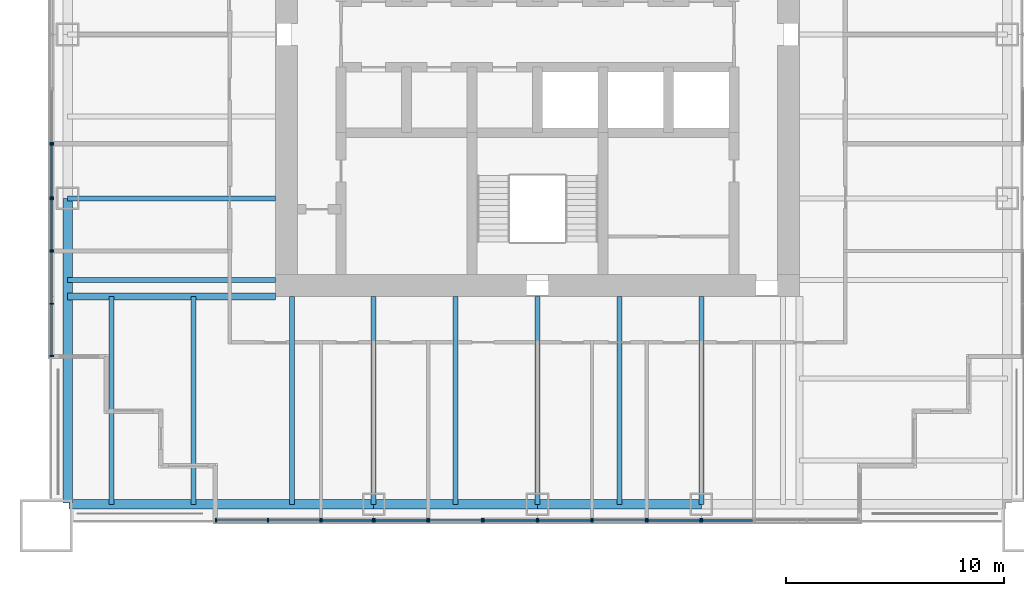
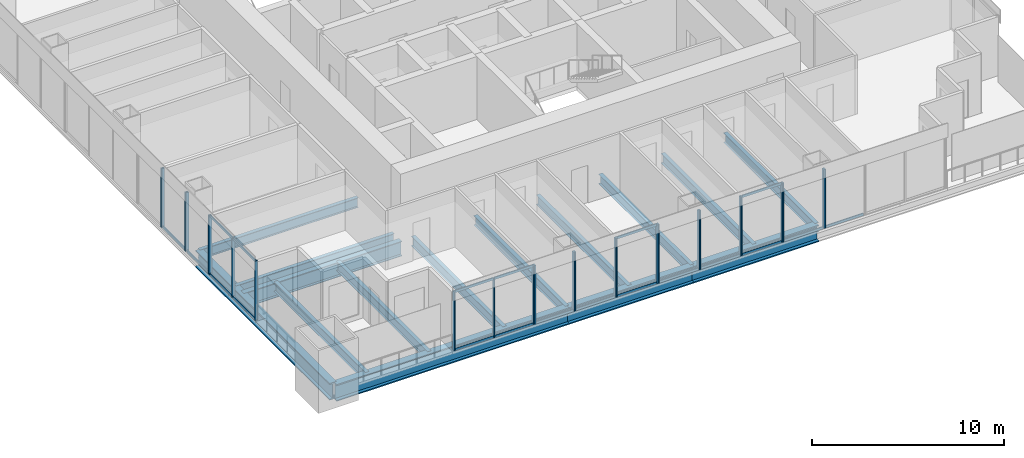
# One storey, part 2 of 14: 46 members, 15 beams, 13 elements without a shape of their own.
"""IFC4 building model written with IfcOpenShell, lengths in metres."""

from ifc_helpers import new_model, si_unit, direction, frame, origin, origin_2d, place, context, subcontext, project, spatial, rectangle, i_section, extrude, material, material_profile, profile_set, type_object, element, aggregate, save


model = new_model("IFC4")

# Units and contexts
model_context = context("Model", 3, precision=1e-05, world=origin(), true_north=direction((0.0, 1.0)))
body_context = subcontext(model_context, "Body", "Model", "MODEL_VIEW")
ifc_project = project(units=[si_unit("LENGTHUNIT", "METRE"), si_unit("AREAUNIT", "SQUARE_METRE"), si_unit("VOLUMEUNIT", "CUBIC_METRE"), si_unit("PLANEANGLEUNIT", "RADIAN"), si_unit("MASSUNIT", "GRAM", prefix="KILO")], contexts=[model_context])

# Site, building, storey
site_placement = place(None, origin())
site = spatial("IfcSite", under=ifc_project, at=site_placement, CompositionType="ELEMENT")
building_placement = place(site_placement, origin())
building = spatial("IfcBuilding", under=site, at=building_placement, Name="Tarangal Relay Tower", CompositionType="ELEMENT")
storey_placement = place(building_placement, frame((0.0, 0.0, 249.89990234375)))
storey = spatial("IfcBuildingStorey", under=building, at=storey_placement, Name="L54", CompositionType="ELEMENT", Elevation=249.89990234375)

# Beams
ifc_material_1 = material(Name="Steel ASTM A992", Category="steel")
ifc_material_profile_1 = material_profile(ifc_material_1, i_section(OverallWidth=0.227783203125, OverallDepth=0.60205078125, WebThickness=0.010498046875, FlangeThickness=0.014892578125, at=origin_2d()), Name="W24X68")
ifc_profile_set_1 = profile_set([ifc_material_profile_1], Name="Steel ASTM A992")
beam_type_1 = type_object("IfcBeamType", Name="Corner beam W24X68", PredefinedType="JOIST", material=ifc_profile_set_1)
for number, where, z_axis, x_axis, name in (
    (1, (-15.75, -12.0, -0.450927734375), (0.0, -1.0, 0.0), (1.0, 0.0, 0.0), "Corner beam CB11 S L54"),
    (2, (-19.5, -12.0, -0.450927734375), (0.0, -1.0, 0.0), (1.0, 0.0, 0.0), "Corner beam CB11 S L54"),
):
    element("IfcBeam", number, at=place(storey_placement, frame(where, z_axis=z_axis, x_axis=x_axis)), inside=storey, type_object=beam_type_1, Name=name, PredefinedType="JOIST", context=body_context, shape_type="SweptSolid", body=[
        extrude(i_section(OverallWidth=0.227783203125, OverallDepth=0.60205078125, WebThickness=0.010498046875, FlangeThickness=0.014892578125, at=origin_2d()), origin(), (0.0, 0.0, 1.0), 9.514892578125),
    ])
ifc_material_profile_2 = material_profile(ifc_material_1, i_section(OverallWidth=0.307373046875, OverallDepth=0.9423828125, WebThickness=0.022216796875, FlangeThickness=0.039794921875, at=origin_2d()), Name="W36X232")
ifc_profile_set_2 = profile_set([ifc_material_profile_2], Name="Steel ASTM A992")
beam_type_2 = type_object("IfcBeamType", Name="Corner girder W36X232", PredefinedType="BEAM", material=ifc_profile_set_2)
beam_placement = place(storey_placement, frame((-12.0, -12.0, -0.62109375), z_axis=(-1.0, 0.0, 0.0), x_axis=(0.0, -1.0, 0.0)))
element("IfcBeam", 3, at=beam_placement, inside=storey, type_object=beam_type_2, Name="Corner girder CG4 S L54", PredefinedType="BEAM", context=body_context, shape_type="SweptSolid", body=[
    extrude(i_section(OverallWidth=0.307373046875, OverallDepth=0.9423828125, WebThickness=0.022216796875, FlangeThickness=0.039794921875, at=origin_2d()), origin(), (0.0, 0.0, 1.0), 9.514892578125),
])
ifc_material_profile_3 = material_profile(ifc_material_1, i_section(OverallWidth=0.41650390625, OverallDepth=1.0693359375, WebThickness=0.0390625, FlangeThickness=0.070068359375, at=origin_2d()), Name="W40X503")
ifc_profile_set_3 = profile_set([ifc_material_profile_3], Name="Steel ASTM A992")
beam_type_3 = type_object("IfcBeamType", Name="Edge girder W40X503", PredefinedType="SPANDREL", material=ifc_profile_set_3)
for number, where, z_axis, x_axis, name in (
    (4, (7.5, -21.514892578125, -0.6845703125), (-1.0, 0.0, 0.0), (0.0, -1.0, 0.0), "Edge girder EG8 S L54"),
    (5, (0.0, -21.514892578125, -0.6845703125), (-1.0, 0.0, 0.0), (0.0, -1.0, 0.0), "Edge girder EG8 S L54"),
):
    element("IfcBeam", number, at=place(storey_placement, frame(where, z_axis=z_axis, x_axis=x_axis)), inside=storey, type_object=beam_type_3, Name=name, PredefinedType="SPANDREL", context=body_context, shape_type="SweptSolid", body=[
        extrude(i_section(OverallWidth=0.41650390625, OverallDepth=1.0693359375, WebThickness=0.0390625, FlangeThickness=0.070068359375, at=origin_2d()), origin(), (0.0, 0.0, 1.0), 7.5),
    ])
for number, where, z_axis, x_axis, name in (
    (6, (-7.5, -21.514892578125, -0.6845703125), (-1.0, 0.0, 0.0), (0.0, -1.0, 0.0), "Edge girder EG8 S L54"),
    (7, (-21.514892578125, -21.449951171875, -0.6845703125), (0.0, 1.0, 0.0), (-1.0, 0.0, 0.0), "Edge girder EG8 W L54"),
):
    element("IfcBeam", number, at=place(storey_placement, frame(where, z_axis=z_axis, x_axis=x_axis)), inside=storey, type_object=beam_type_3, Name=name, PredefinedType="SPANDREL", context=body_context, shape_type="SweptSolid", body=[
        extrude(i_section(OverallWidth=0.41650390625, OverallDepth=1.0693359375, WebThickness=0.0390625, FlangeThickness=0.070068359375, at=origin_2d()), origin(), (0.0, 0.0, 1.0), 13.949951171875),
    ])
ifc_material_profile_4 = material_profile(ifc_material_1, i_section(OverallWidth=0.22900390625, OverallDepth=0.612060546875, WebThickness=0.011962890625, FlangeThickness=0.01953125, at=origin_2d()), Name="W24X84")
ifc_profile_set_4 = profile_set([ifc_material_profile_4], Name="Steel ASTM A992")
beam_type_4 = type_object("IfcBeamType", Name="Floor beam W24X84", PredefinedType="BEAM", material=ifc_profile_set_4)
for number, where, z_axis, x_axis, name in (
    (8, (7.5, -12.0, -0.455810546875), (0.0, -1.0, 0.0), (1.0, 0.0, 0.0), "Floor beam RB12 S L54"),
    (9, (3.75, -12.0, -0.455810546875), (0.0, -1.0, 0.0), (1.0, 0.0, 0.0), "Floor beam RB12 S L54"),
    (10, (0.0, -12.0, -0.455810546875), (0.0, -1.0, 0.0), (1.0, 0.0, 0.0), "Floor beam RB12 S L54"),
    (11, (-3.75, -12.0, -0.455810546875), (0.0, -1.0, 0.0), (1.0, 0.0, 0.0), "Floor beam RB12 S L54"),
    (12, (-7.5, -12.0, -0.455810546875), (0.0, -1.0, 0.0), (1.0, 0.0, 0.0), "Floor beam RB12 S L54"),
    (13, (-11.25, -12.0, -0.455810546875), (0.0, -1.0, 0.0), (1.0, 0.0, 0.0), "Floor beam RB12 S L54"),
    (14, (-12.0, -11.25, -0.455810546875), (-1.0, 0.0, 0.0), (0.0, -1.0, 0.0), "Floor beam RB12 W L54"),
    (15, (-12.0, -7.5, -0.455810546875), (-1.0, 0.0, 0.0), (0.0, -1.0, 0.0), "Floor beam RB12 W L54"),
):
    element("IfcBeam", number, at=place(storey_placement, frame(where, z_axis=z_axis, x_axis=x_axis)), inside=storey, type_object=beam_type_4, Name=name, PredefinedType="BEAM", context=body_context, shape_type="SweptSolid", body=[
        extrude(i_section(OverallWidth=0.22900390625, OverallDepth=0.612060546875, WebThickness=0.011962890625, FlangeThickness=0.01953125, at=origin_2d()), origin(), (0.0, 0.0, 1.0), 9.514892578125),
    ])

# Curtain wall, members
ifc_material_2 = material(Name="Unitised curtain wall, dark glass and black aluminium", Category="aluminium")
curtain_wall_type_1 = type_object("IfcCurtainWallType", Name="Curtain wall CW-A", PredefinedType="USERDEFINED", material=ifc_material_2)
curtain_wall_1_placement = place(storey_placement, origin())
curtain_wall_1 = element("IfcCurtainWall", 16, at=curtain_wall_1_placement, inside=storey, type_object=curtain_wall_type_1, Name="Curtain wall CW-A S facade L54", ObjectType="UNITISED CURTAIN WALL", PredefinedType="USERDEFINED")
ifc_material_3 = material(Name="Black anodised aluminium mullion", Category="aluminium")
ifc_material_profile_5 = material_profile(ifc_material_3, rectangle(XDim=0.175048828125, YDim=0.06494140625, at=origin_2d()), Name="CW-AM 65X175")
ifc_profile_set_5 = profile_set([ifc_material_profile_5], Name="Black anodised aluminium mullion")
member_type_1 = type_object("IfcMemberType", Name="Mullion CW-A 65 x 175", PredefinedType="MULLION", material=ifc_profile_set_5)
member_1_placement = place(storey_placement, frame((4.967529296875, -22.25, 0.0), z_axis=(0.0, 0.0, 1.0), x_axis=(0.0, -1.0, 0.0)))
member_1 = element("IfcMember", 17, at=member_1_placement, type_object=member_type_1, Name="CW-A mullion 1", PredefinedType="MULLION", context=body_context, shape_type="SweptSolid", body=[
    extrude(rectangle(XDim=0.175048828125, YDim=0.06494140625, at=origin_2d()), origin(), (0.0, 0.0, 1.0), 3.75),
])
member_2_placement = place(storey_placement, frame((2.532470703125, -22.25, 0.0), z_axis=(0.0, 0.0, 1.0), x_axis=(0.0, -1.0, 0.0)))
member_2 = element("IfcMember", 18, at=member_2_placement, type_object=member_type_1, Name="CW-A mullion 2", PredefinedType="MULLION", context=body_context, shape_type="SweptSolid", body=[
    extrude(rectangle(XDim=0.175048828125, YDim=0.06494140625, at=origin_2d()), origin(), (0.0, 0.0, 1.0), 3.75),
])

curtain_wall_2_placement = place(storey_placement, origin())
curtain_wall_2 = element("IfcCurtainWall", 19, at=curtain_wall_2_placement, inside=storey, type_object=curtain_wall_type_1, Name="Curtain wall CW-A S facade L54", ObjectType="UNITISED CURTAIN WALL", PredefinedType="USERDEFINED")
member_3_placement = place(storey_placement, frame((-2.532470703125, -22.25, 0.0), z_axis=(0.0, 0.0, 1.0), x_axis=(0.0, -1.0, 0.0)))
member_3 = element("IfcMember", 20, at=member_3_placement, type_object=member_type_1, Name="CW-A mullion 1", PredefinedType="MULLION", context=body_context, shape_type="SweptSolid", body=[
    extrude(rectangle(XDim=0.175048828125, YDim=0.06494140625, at=origin_2d()), origin(), (0.0, 0.0, 1.0), 3.75),
])
member_4_placement = place(storey_placement, frame((-4.967529296875, -22.25, 0.0), z_axis=(0.0, 0.0, 1.0), x_axis=(0.0, -1.0, 0.0)))
member_4 = element("IfcMember", 21, at=member_4_placement, type_object=member_type_1, Name="CW-A mullion 2", PredefinedType="MULLION", context=body_context, shape_type="SweptSolid", body=[
    extrude(rectangle(XDim=0.175048828125, YDim=0.06494140625, at=origin_2d()), origin(), (0.0, 0.0, 1.0), 3.75),
])

curtain_wall_3_placement = place(storey_placement, origin())
curtain_wall_3 = element("IfcCurtainWall", 22, at=curtain_wall_3_placement, inside=storey, type_object=curtain_wall_type_1, Name="Curtain wall CW-A S facade L54", ObjectType="UNITISED CURTAIN WALL", PredefinedType="USERDEFINED")
member_5_placement = place(storey_placement, frame((-9.94921875, -22.25, 0.0), z_axis=(0.0, 0.0, 1.0), x_axis=(0.0, -1.0, 0.0)))
member_5 = element("IfcMember", 23, at=member_5_placement, type_object=member_type_1, Name="CW-A mullion 1", PredefinedType="MULLION", context=body_context, shape_type="SweptSolid", body=[
    extrude(rectangle(XDim=0.175048828125, YDim=0.06494140625, at=origin_2d()), origin(), (0.0, 0.0, 1.0), 3.75),
])
member_6_placement = place(storey_placement, frame((-12.333251953125, -22.25, 0.0), z_axis=(0.0, 0.0, 1.0), x_axis=(0.0, -1.0, 0.0)))
member_6 = element("IfcMember", 24, at=member_6_placement, type_object=member_type_1, Name="CW-A mullion 2", PredefinedType="MULLION", context=body_context, shape_type="SweptSolid", body=[
    extrude(rectangle(XDim=0.175048828125, YDim=0.06494140625, at=origin_2d()), origin(), (0.0, 0.0, 1.0), 3.75),
])
member_7_placement = place(storey_placement, frame((-14.717529296875, -22.25, 0.0), z_axis=(0.0, 0.0, 1.0), x_axis=(0.0, -1.0, 0.0)))
member_7 = element("IfcMember", 25, at=member_7_placement, type_object=member_type_1, Name="CW-A mullion 3", PredefinedType="MULLION", context=body_context, shape_type="SweptSolid", body=[
    extrude(rectangle(XDim=0.175048828125, YDim=0.06494140625, at=origin_2d()), origin(), (0.0, 0.0, 1.0), 3.75),
])

curtain_wall_4_placement = place(storey_placement, origin())
curtain_wall_4 = element("IfcCurtainWall", 26, at=curtain_wall_4_placement, inside=storey, type_object=curtain_wall_type_1, Name="Curtain wall CW-A W facade L54", ObjectType="UNITISED CURTAIN WALL", PredefinedType="USERDEFINED")
member_8_placement = place(storey_placement, frame((-22.25, -14.717529296875, 0.0), z_axis=(0.0, 0.0, 1.0), x_axis=(-1.0, 0.0, 0.0)))
member_8 = element("IfcMember", 27, at=member_8_placement, type_object=member_type_1, Name="CW-A mullion 1", PredefinedType="MULLION", context=body_context, shape_type="SweptSolid", body=[
    extrude(rectangle(XDim=0.175048828125, YDim=0.06494140625, at=origin_2d()), origin(), (0.0, 0.0, 1.0), 3.75),
])
member_9_placement = place(storey_placement, frame((-22.25, -12.333251953125, 0.0), z_axis=(0.0, 0.0, 1.0), x_axis=(-1.0, 0.0, 0.0)))
member_9 = element("IfcMember", 28, at=member_9_placement, type_object=member_type_1, Name="CW-A mullion 2", PredefinedType="MULLION", context=body_context, shape_type="SweptSolid", body=[
    extrude(rectangle(XDim=0.175048828125, YDim=0.06494140625, at=origin_2d()), origin(), (0.0, 0.0, 1.0), 3.75),
])
member_10_placement = place(storey_placement, frame((-22.25, -9.94921875, 0.0), z_axis=(0.0, 0.0, 1.0), x_axis=(-1.0, 0.0, 0.0)))
member_10 = element("IfcMember", 29, at=member_10_placement, type_object=member_type_1, Name="CW-A mullion 3", PredefinedType="MULLION", context=body_context, shape_type="SweptSolid", body=[
    extrude(rectangle(XDim=0.175048828125, YDim=0.06494140625, at=origin_2d()), origin(), (0.0, 0.0, 1.0), 3.75),
])

# Curtain wall, member
curtain_wall_5_placement = place(storey_placement, origin())
curtain_wall_5 = element("IfcCurtainWall", 30, at=curtain_wall_5_placement, inside=storey, type_object=curtain_wall_type_1, Name="Curtain wall CW-A W facade L54", ObjectType="UNITISED CURTAIN WALL", PredefinedType="USERDEFINED")
member_11_placement = place(storey_placement, frame((-22.25, -4.967529296875, 0.0), z_axis=(0.0, 0.0, 1.0), x_axis=(-1.0, 0.0, 0.0)))
member_11 = element("IfcMember", 31, at=member_11_placement, type_object=member_type_1, Name="CW-A mullion 1", PredefinedType="MULLION", context=body_context, shape_type="SweptSolid", body=[
    extrude(rectangle(XDim=0.175048828125, YDim=0.06494140625, at=origin_2d()), origin(), (0.0, 0.0, 1.0), 3.75),
])
aggregate(curtain_wall_5, [member_11])

ifc_material_4 = material(Name="Unitised curtain wall frame, black aluminium, with metal clad infill walls", Category="aluminium")
curtain_wall_type_2 = type_object("IfcCurtainWallType", Name="Curtain wall CW-AO", PredefinedType="USERDEFINED", material=ifc_material_4)
curtain_wall_6_placement = place(storey_placement, origin())
curtain_wall_6 = element("IfcCurtainWall", 32, at=curtain_wall_6_placement, inside=storey, type_object=curtain_wall_type_2, Name="Curtain wall CW-AO S facade L54", ObjectType="UNITISED CURTAIN WALL", PredefinedType="USERDEFINED")
ifc_material_profile_6 = material_profile(ifc_material_3, rectangle(XDim=0.175048828125, YDim=0.06494140625, at=origin_2d()), Name="CW-AOM 65X175")
ifc_profile_set_6 = profile_set([ifc_material_profile_6], Name="Black anodised aluminium mullion")
member_type_2 = type_object("IfcMemberType", Name="Mullion CW-AO 65 x 175", PredefinedType="MULLION", material=ifc_profile_set_6)
member_12_placement = place(storey_placement, frame((7.532470703125, -22.25, 0.0), z_axis=(0.0, 0.0, 1.0), x_axis=(0.0, -1.0, 0.0)))
member_12 = element("IfcMember", 33, at=member_12_placement, type_object=member_type_2, Name="CW-AO mullion 2", PredefinedType="MULLION", context=body_context, shape_type="SweptSolid", body=[
    extrude(rectangle(XDim=0.175048828125, YDim=0.06494140625, at=origin_2d()), origin(), (0.0, 0.0, 1.0), 3.75),
])

# Curtain wall, members
curtain_wall_7_placement = place(storey_placement, origin())
curtain_wall_7 = element("IfcCurtainWall", 34, at=curtain_wall_7_placement, inside=storey, type_object=curtain_wall_type_2, Name="Curtain wall CW-AO S facade L54", ObjectType="UNITISED CURTAIN WALL", PredefinedType="USERDEFINED")
member_13_placement = place(storey_placement, frame((7.467529296875, -22.25, 0.0), z_axis=(0.0, 0.0, 1.0), x_axis=(0.0, -1.0, 0.0)))
member_13 = element("IfcMember", 35, at=member_13_placement, type_object=member_type_2, Name="CW-AO mullion 1", PredefinedType="MULLION", context=body_context, shape_type="SweptSolid", body=[
    extrude(rectangle(XDim=0.175048828125, YDim=0.06494140625, at=origin_2d()), origin(), (0.0, 0.0, 1.0), 3.75),
])
member_14_placement = place(storey_placement, frame((5.032470703125, -22.25, 0.0), z_axis=(0.0, 0.0, 1.0), x_axis=(0.0, -1.0, 0.0)))
member_14 = element("IfcMember", 36, at=member_14_placement, type_object=member_type_2, Name="CW-AO mullion 2", PredefinedType="MULLION", context=body_context, shape_type="SweptSolid", body=[
    extrude(rectangle(XDim=0.175048828125, YDim=0.06494140625, at=origin_2d()), origin(), (0.0, 0.0, 1.0), 3.75),
])

curtain_wall_8_placement = place(storey_placement, origin())
curtain_wall_8 = element("IfcCurtainWall", 37, at=curtain_wall_8_placement, inside=storey, type_object=curtain_wall_type_2, Name="Curtain wall CW-AO S facade L54", ObjectType="UNITISED CURTAIN WALL", PredefinedType="USERDEFINED")
member_15_placement = place(storey_placement, frame((2.467529296875, -22.25, 0.0), z_axis=(0.0, 0.0, 1.0), x_axis=(0.0, -1.0, 0.0)))
member_15 = element("IfcMember", 38, at=member_15_placement, type_object=member_type_2, Name="CW-AO mullion 1", PredefinedType="MULLION", context=body_context, shape_type="SweptSolid", body=[
    extrude(rectangle(XDim=0.175048828125, YDim=0.06494140625, at=origin_2d()), origin(), (0.0, 0.0, 1.0), 3.75),
])
member_16_placement = place(storey_placement, frame((0.032470703125, -22.25, 0.0), z_axis=(0.0, 0.0, 1.0), x_axis=(0.0, -1.0, 0.0)))
member_16 = element("IfcMember", 39, at=member_16_placement, type_object=member_type_2, Name="CW-AO mullion 2", PredefinedType="MULLION", context=body_context, shape_type="SweptSolid", body=[
    extrude(rectangle(XDim=0.175048828125, YDim=0.06494140625, at=origin_2d()), origin(), (0.0, 0.0, 1.0), 3.75),
])

curtain_wall_9_placement = place(storey_placement, origin())
curtain_wall_9 = element("IfcCurtainWall", 40, at=curtain_wall_9_placement, inside=storey, type_object=curtain_wall_type_2, Name="Curtain wall CW-AO S facade L54", ObjectType="UNITISED CURTAIN WALL", PredefinedType="USERDEFINED")
member_17_placement = place(storey_placement, frame((-0.032470703125, -22.25, 0.0), z_axis=(0.0, 0.0, 1.0), x_axis=(0.0, -1.0, 0.0)))
member_17 = element("IfcMember", 41, at=member_17_placement, type_object=member_type_2, Name="CW-AO mullion 1", PredefinedType="MULLION", context=body_context, shape_type="SweptSolid", body=[
    extrude(rectangle(XDim=0.175048828125, YDim=0.06494140625, at=origin_2d()), origin(), (0.0, 0.0, 1.0), 3.75),
])
member_18_placement = place(storey_placement, frame((-2.467529296875, -22.25, 0.0), z_axis=(0.0, 0.0, 1.0), x_axis=(0.0, -1.0, 0.0)))
member_18 = element("IfcMember", 42, at=member_18_placement, type_object=member_type_2, Name="CW-AO mullion 2", PredefinedType="MULLION", context=body_context, shape_type="SweptSolid", body=[
    extrude(rectangle(XDim=0.175048828125, YDim=0.06494140625, at=origin_2d()), origin(), (0.0, 0.0, 1.0), 3.75),
])

curtain_wall_10_placement = place(storey_placement, origin())
curtain_wall_10 = element("IfcCurtainWall", 43, at=curtain_wall_10_placement, inside=storey, type_object=curtain_wall_type_2, Name="Curtain wall CW-AO S facade L54", ObjectType="UNITISED CURTAIN WALL", PredefinedType="USERDEFINED")
member_19_placement = place(storey_placement, frame((-5.032470703125, -22.25, 0.0), z_axis=(0.0, 0.0, 1.0), x_axis=(0.0, -1.0, 0.0)))
member_19 = element("IfcMember", 44, at=member_19_placement, type_object=member_type_2, Name="CW-AO mullion 1", PredefinedType="MULLION", context=body_context, shape_type="SweptSolid", body=[
    extrude(rectangle(XDim=0.175048828125, YDim=0.06494140625, at=origin_2d()), origin(), (0.0, 0.0, 1.0), 3.75),
])
member_20_placement = place(storey_placement, frame((-7.467529296875, -22.25, 0.0), z_axis=(0.0, 0.0, 1.0), x_axis=(0.0, -1.0, 0.0)))
member_20 = element("IfcMember", 45, at=member_20_placement, type_object=member_type_2, Name="CW-AO mullion 2", PredefinedType="MULLION", context=body_context, shape_type="SweptSolid", body=[
    extrude(rectangle(XDim=0.175048828125, YDim=0.06494140625, at=origin_2d()), origin(), (0.0, 0.0, 1.0), 3.75),
])

curtain_wall_11_placement = place(storey_placement, origin())
curtain_wall_11 = element("IfcCurtainWall", 46, at=curtain_wall_11_placement, inside=storey, type_object=curtain_wall_type_2, Name="Curtain wall CW-AO S facade L54", ObjectType="UNITISED CURTAIN WALL", PredefinedType="USERDEFINED")
member_21_placement = place(storey_placement, frame((-7.532470703125, -22.25, 0.0), z_axis=(0.0, 0.0, 1.0), x_axis=(0.0, -1.0, 0.0)))
member_21 = element("IfcMember", 47, at=member_21_placement, type_object=member_type_2, Name="CW-AO mullion 1", PredefinedType="MULLION", context=body_context, shape_type="SweptSolid", body=[
    extrude(rectangle(XDim=0.175048828125, YDim=0.06494140625, at=origin_2d()), origin(), (0.0, 0.0, 1.0), 3.75),
])
member_22_placement = place(storey_placement, frame((-9.88427734375, -22.25, 0.0), z_axis=(0.0, 0.0, 1.0), x_axis=(0.0, -1.0, 0.0)))
member_22 = element("IfcMember", 48, at=member_22_placement, type_object=member_type_2, Name="CW-AO mullion 2", PredefinedType="MULLION", context=body_context, shape_type="SweptSolid", body=[
    extrude(rectangle(XDim=0.175048828125, YDim=0.06494140625, at=origin_2d()), origin(), (0.0, 0.0, 1.0), 3.75),
])

curtain_wall_12_placement = place(storey_placement, origin())
curtain_wall_12 = element("IfcCurtainWall", 49, at=curtain_wall_12_placement, inside=storey, type_object=curtain_wall_type_2, Name="Curtain wall CW-AO W facade L54", ObjectType="UNITISED CURTAIN WALL", PredefinedType="USERDEFINED")
member_23_placement = place(storey_placement, frame((-22.25, -9.88427734375, 0.0), z_axis=(0.0, 0.0, 1.0), x_axis=(-1.0, 0.0, 0.0)))
member_23 = element("IfcMember", 50, at=member_23_placement, type_object=member_type_2, Name="CW-AO mullion 1", PredefinedType="MULLION", context=body_context, shape_type="SweptSolid", body=[
    extrude(rectangle(XDim=0.175048828125, YDim=0.06494140625, at=origin_2d()), origin(), (0.0, 0.0, 1.0), 3.75),
])
member_24_placement = place(storey_placement, frame((-22.25, -7.532470703125, 0.0), z_axis=(0.0, 0.0, 1.0), x_axis=(-1.0, 0.0, 0.0)))
member_24 = element("IfcMember", 51, at=member_24_placement, type_object=member_type_2, Name="CW-AO mullion 2", PredefinedType="MULLION", context=body_context, shape_type="SweptSolid", body=[
    extrude(rectangle(XDim=0.175048828125, YDim=0.06494140625, at=origin_2d()), origin(), (0.0, 0.0, 1.0), 3.75),
])

curtain_wall_13_placement = place(storey_placement, origin())
curtain_wall_13 = element("IfcCurtainWall", 52, at=curtain_wall_13_placement, inside=storey, type_object=curtain_wall_type_2, Name="Curtain wall CW-AO W facade L54", ObjectType="UNITISED CURTAIN WALL", PredefinedType="USERDEFINED")
member_25_placement = place(storey_placement, frame((-22.25, -7.467529296875, 0.0), z_axis=(0.0, 0.0, 1.0), x_axis=(-1.0, 0.0, 0.0)))
member_25 = element("IfcMember", 53, at=member_25_placement, type_object=member_type_2, Name="CW-AO mullion 1", PredefinedType="MULLION", context=body_context, shape_type="SweptSolid", body=[
    extrude(rectangle(XDim=0.175048828125, YDim=0.06494140625, at=origin_2d()), origin(), (0.0, 0.0, 1.0), 3.75),
])
member_26_placement = place(storey_placement, frame((-22.25, -5.032470703125, 0.0), z_axis=(0.0, 0.0, 1.0), x_axis=(-1.0, 0.0, 0.0)))
member_26 = element("IfcMember", 54, at=member_26_placement, type_object=member_type_2, Name="CW-AO mullion 2", PredefinedType="MULLION", context=body_context, shape_type="SweptSolid", body=[
    extrude(rectangle(XDim=0.175048828125, YDim=0.06494140625, at=origin_2d()), origin(), (0.0, 0.0, 1.0), 3.75),
])

# Member
ifc_material_5 = material(Name="Black anodised aluminium transom", Category="aluminium")
ifc_material_profile_7 = material_profile(ifc_material_5, rectangle(XDim=0.06494140625, YDim=0.14990234375, at=origin_2d()), Name="CW-AT 65X150")
ifc_profile_set_7 = profile_set([ifc_material_profile_7], Name="Black anodised aluminium transom")
member_type_3 = type_object("IfcMemberType", Name="Transom CW-A 65 x 150", PredefinedType="USERDEFINED", material=ifc_profile_set_7)
member_27_placement = place(storey_placement, frame((4.93505859375, -22.25, 0.03271484375), z_axis=(-1.0, 0.0, 0.0), x_axis=(0.0, -1.0, 0.0)))
member_27 = element("IfcMember", 55, at=member_27_placement, type_object=member_type_3, Name="CW-A transom 1.1", ObjectType="TRANSOM", PredefinedType="USERDEFINED", context=body_context, shape_type="SweptSolid", body=[
    extrude(rectangle(XDim=0.06494140625, YDim=0.14990234375, at=origin_2d()), origin(), (0.0, 0.0, 1.0), 2.3701171875),
])

member_28_placement = place(storey_placement, frame((4.93505859375, -22.25, 3.717529296875), z_axis=(-1.0, 0.0, 0.0), x_axis=(0.0, -1.0, 0.0)))
member_28 = element("IfcMember", 56, at=member_28_placement, type_object=member_type_3, Name="CW-A transom 1.2", ObjectType="TRANSOM", PredefinedType="USERDEFINED", context=body_context, shape_type="SweptSolid", body=[
    extrude(rectangle(XDim=0.06494140625, YDim=0.14990234375, at=origin_2d()), origin(), (0.0, 0.0, 1.0), 2.3701171875),
])

aggregate(curtain_wall_1, [member_1, member_2, member_27, member_28])

member_29_placement = place(storey_placement, frame((-2.56494140625, -22.25, 0.03271484375), z_axis=(-1.0, 0.0, 0.0), x_axis=(0.0, -1.0, 0.0)))
member_29 = element("IfcMember", 57, at=member_29_placement, type_object=member_type_3, Name="CW-A transom 1.1", ObjectType="TRANSOM", PredefinedType="USERDEFINED", context=body_context, shape_type="SweptSolid", body=[
    extrude(rectangle(XDim=0.06494140625, YDim=0.14990234375, at=origin_2d()), origin(), (0.0, 0.0, 1.0), 2.3701171875),
])

member_30_placement = place(storey_placement, frame((-2.56494140625, -22.25, 3.717529296875), z_axis=(-1.0, 0.0, 0.0), x_axis=(0.0, -1.0, 0.0)))
member_30 = element("IfcMember", 58, at=member_30_placement, type_object=member_type_3, Name="CW-A transom 1.2", ObjectType="TRANSOM", PredefinedType="USERDEFINED", context=body_context, shape_type="SweptSolid", body=[
    extrude(rectangle(XDim=0.06494140625, YDim=0.14990234375, at=origin_2d()), origin(), (0.0, 0.0, 1.0), 2.3701171875),
])

aggregate(curtain_wall_2, [member_3, member_4, member_29, member_30])

member_31_placement = place(storey_placement, frame((-9.981689453125, -22.25, 0.03271484375), z_axis=(-1.0, 0.0, 0.0), x_axis=(0.0, -1.0, 0.0)))
member_31 = element("IfcMember", 59, at=member_31_placement, type_object=member_type_3, Name="CW-A transom 1.1", ObjectType="TRANSOM", PredefinedType="USERDEFINED", context=body_context, shape_type="SweptSolid", body=[
    extrude(rectangle(XDim=0.06494140625, YDim=0.14990234375, at=origin_2d()), origin(), (0.0, 0.0, 1.0), 2.319091796875),
])

member_32_placement = place(storey_placement, frame((-9.981689453125, -22.25, 3.717529296875), z_axis=(-1.0, 0.0, 0.0), x_axis=(0.0, -1.0, 0.0)))
member_32 = element("IfcMember", 60, at=member_32_placement, type_object=member_type_3, Name="CW-A transom 1.2", ObjectType="TRANSOM", PredefinedType="USERDEFINED", context=body_context, shape_type="SweptSolid", body=[
    extrude(rectangle(XDim=0.06494140625, YDim=0.14990234375, at=origin_2d()), origin(), (0.0, 0.0, 1.0), 2.319091796875),
])

member_33_placement = place(storey_placement, frame((-12.365966796875, -22.25, 0.03271484375), z_axis=(-1.0, 0.0, 0.0), x_axis=(0.0, -1.0, 0.0)))
member_33 = element("IfcMember", 61, at=member_33_placement, type_object=member_type_3, Name="CW-A transom 2.1", ObjectType="TRANSOM", PredefinedType="USERDEFINED", context=body_context, shape_type="SweptSolid", body=[
    extrude(rectangle(XDim=0.06494140625, YDim=0.14990234375, at=origin_2d()), origin(), (0.0, 0.0, 1.0), 2.319091796875),
])

member_34_placement = place(storey_placement, frame((-12.365966796875, -22.25, 3.717529296875), z_axis=(-1.0, 0.0, 0.0), x_axis=(0.0, -1.0, 0.0)))
member_34 = element("IfcMember", 62, at=member_34_placement, type_object=member_type_3, Name="CW-A transom 2.2", ObjectType="TRANSOM", PredefinedType="USERDEFINED", context=body_context, shape_type="SweptSolid", body=[
    extrude(rectangle(XDim=0.06494140625, YDim=0.14990234375, at=origin_2d()), origin(), (0.0, 0.0, 1.0), 2.319091796875),
])

aggregate(curtain_wall_3, [member_5, member_6, member_7, member_31, member_32, member_33, member_34])

member_35_placement = place(storey_placement, frame((-22.25, -14.68505859375, 0.03271484375), z_axis=(0.0, 1.0, 0.0), x_axis=(-1.0, 0.0, 0.0)))
member_35 = element("IfcMember", 63, at=member_35_placement, type_object=member_type_3, Name="CW-A transom 1.1", ObjectType="TRANSOM", PredefinedType="USERDEFINED", context=body_context, shape_type="SweptSolid", body=[
    extrude(rectangle(XDim=0.06494140625, YDim=0.14990234375, at=origin_2d()), origin(), (0.0, 0.0, 1.0), 2.319091796875),
])

member_36_placement = place(storey_placement, frame((-22.25, -14.68505859375, 3.717529296875), z_axis=(0.0, 1.0, 0.0), x_axis=(-1.0, 0.0, 0.0)))
member_36 = element("IfcMember", 64, at=member_36_placement, type_object=member_type_3, Name="CW-A transom 1.2", ObjectType="TRANSOM", PredefinedType="USERDEFINED", context=body_context, shape_type="SweptSolid", body=[
    extrude(rectangle(XDim=0.06494140625, YDim=0.14990234375, at=origin_2d()), origin(), (0.0, 0.0, 1.0), 2.319091796875),
])

member_37_placement = place(storey_placement, frame((-22.25, -12.30078125, 0.03271484375), z_axis=(0.0, 1.0, 0.0), x_axis=(-1.0, 0.0, 0.0)))
member_37 = element("IfcMember", 65, at=member_37_placement, type_object=member_type_3, Name="CW-A transom 2.1", ObjectType="TRANSOM", PredefinedType="USERDEFINED", context=body_context, shape_type="SweptSolid", body=[
    extrude(rectangle(XDim=0.06494140625, YDim=0.14990234375, at=origin_2d()), origin(), (0.0, 0.0, 1.0), 2.319091796875),
])

member_38_placement = place(storey_placement, frame((-22.25, -12.30078125, 3.717529296875), z_axis=(0.0, 1.0, 0.0), x_axis=(-1.0, 0.0, 0.0)))
member_38 = element("IfcMember", 66, at=member_38_placement, type_object=member_type_3, Name="CW-A transom 2.2", ObjectType="TRANSOM", PredefinedType="USERDEFINED", context=body_context, shape_type="SweptSolid", body=[
    extrude(rectangle(XDim=0.06494140625, YDim=0.14990234375, at=origin_2d()), origin(), (0.0, 0.0, 1.0), 2.319091796875),
])

aggregate(curtain_wall_4, [member_8, member_9, member_10, member_35, member_36, member_37, member_38])

ifc_material_profile_8 = material_profile(ifc_material_5, rectangle(XDim=0.06494140625, YDim=0.14990234375, at=origin_2d()), Name="CW-AOT 65X150")
ifc_profile_set_8 = profile_set([ifc_material_profile_8], Name="Black anodised aluminium transom")
member_type_4 = type_object("IfcMemberType", Name="Transom CW-AO 65 x 150", PredefinedType="USERDEFINED", material=ifc_profile_set_8)
member_39_placement = place(storey_placement, frame((9.851806640625, -22.25, 0.03271484375), z_axis=(-1.0, 0.0, 0.0), x_axis=(0.0, -1.0, 0.0)))
member_39 = element("IfcMember", 67, at=member_39_placement, type_object=member_type_4, Name="CW-AO transom 1.1", ObjectType="TRANSOM", PredefinedType="USERDEFINED", context=body_context, shape_type="SweptSolid", body=[
    extrude(rectangle(XDim=0.06494140625, YDim=0.14990234375, at=origin_2d()), origin(), (0.0, 0.0, 1.0), 2.286865234375),
])

aggregate(curtain_wall_6, [member_12, member_39])

member_40_placement = place(storey_placement, frame((7.43505859375, -22.25, 0.03271484375), z_axis=(-1.0, 0.0, 0.0), x_axis=(0.0, -1.0, 0.0)))
member_40 = element("IfcMember", 68, at=member_40_placement, type_object=member_type_4, Name="CW-AO transom 1.1", ObjectType="TRANSOM", PredefinedType="USERDEFINED", context=body_context, shape_type="SweptSolid", body=[
    extrude(rectangle(XDim=0.06494140625, YDim=0.14990234375, at=origin_2d()), origin(), (0.0, 0.0, 1.0), 2.3701171875),
])

aggregate(curtain_wall_7, [member_13, member_14, member_40])

member_41_placement = place(storey_placement, frame((2.43505859375, -22.25, 0.03271484375), z_axis=(-1.0, 0.0, 0.0), x_axis=(0.0, -1.0, 0.0)))
member_41 = element("IfcMember", 69, at=member_41_placement, type_object=member_type_4, Name="CW-AO transom 1.1", ObjectType="TRANSOM", PredefinedType="USERDEFINED", context=body_context, shape_type="SweptSolid", body=[
    extrude(rectangle(XDim=0.06494140625, YDim=0.14990234375, at=origin_2d()), origin(), (0.0, 0.0, 1.0), 2.3701171875),
])

aggregate(curtain_wall_8, [member_15, member_16, member_41])

member_42_placement = place(storey_placement, frame((-0.06494140625, -22.25, 0.03271484375), z_axis=(-1.0, 0.0, 0.0), x_axis=(0.0, -1.0, 0.0)))
member_42 = element("IfcMember", 70, at=member_42_placement, type_object=member_type_4, Name="CW-AO transom 1.1", ObjectType="TRANSOM", PredefinedType="USERDEFINED", context=body_context, shape_type="SweptSolid", body=[
    extrude(rectangle(XDim=0.06494140625, YDim=0.14990234375, at=origin_2d()), origin(), (0.0, 0.0, 1.0), 2.3701171875),
])

aggregate(curtain_wall_9, [member_17, member_18, member_42])

member_43_placement = place(storey_placement, frame((-5.06494140625, -22.25, 0.03271484375), z_axis=(-1.0, 0.0, 0.0), x_axis=(0.0, -1.0, 0.0)))
member_43 = element("IfcMember", 71, at=member_43_placement, type_object=member_type_4, Name="CW-AO transom 1.1", ObjectType="TRANSOM", PredefinedType="USERDEFINED", context=body_context, shape_type="SweptSolid", body=[
    extrude(rectangle(XDim=0.06494140625, YDim=0.14990234375, at=origin_2d()), origin(), (0.0, 0.0, 1.0), 2.3701171875),
])

aggregate(curtain_wall_10, [member_19, member_20, member_43])

member_44_placement = place(storey_placement, frame((-7.56494140625, -22.25, 0.03271484375), z_axis=(-1.0, 0.0, 0.0), x_axis=(0.0, -1.0, 0.0)))
member_44 = element("IfcMember", 72, at=member_44_placement, type_object=member_type_4, Name="CW-AO transom 1.1", ObjectType="TRANSOM", PredefinedType="USERDEFINED", context=body_context, shape_type="SweptSolid", body=[
    extrude(rectangle(XDim=0.06494140625, YDim=0.14990234375, at=origin_2d()), origin(), (0.0, 0.0, 1.0), 2.286865234375),
])

aggregate(curtain_wall_11, [member_21, member_22, member_44])

member_45_placement = place(storey_placement, frame((-22.25, -9.851806640625, 0.03271484375), z_axis=(0.0, 1.0, 0.0), x_axis=(-1.0, 0.0, 0.0)))
member_45 = element("IfcMember", 73, at=member_45_placement, type_object=member_type_4, Name="CW-AO transom 1.1", ObjectType="TRANSOM", PredefinedType="USERDEFINED", context=body_context, shape_type="SweptSolid", body=[
    extrude(rectangle(XDim=0.06494140625, YDim=0.14990234375, at=origin_2d()), origin(), (0.0, 0.0, 1.0), 2.286865234375),
])

aggregate(curtain_wall_12, [member_23, member_24, member_45])

member_46_placement = place(storey_placement, frame((-22.25, -7.43505859375, 0.03271484375), z_axis=(0.0, 1.0, 0.0), x_axis=(-1.0, 0.0, 0.0)))
member_46 = element("IfcMember", 74, at=member_46_placement, type_object=member_type_4, Name="CW-AO transom 1.1", ObjectType="TRANSOM", PredefinedType="USERDEFINED", context=body_context, shape_type="SweptSolid", body=[
    extrude(rectangle(XDim=0.06494140625, YDim=0.14990234375, at=origin_2d()), origin(), (0.0, 0.0, 1.0), 2.3701171875),
])

aggregate(curtain_wall_13, [member_25, member_26, member_46])

save(model, "model.ifc")
